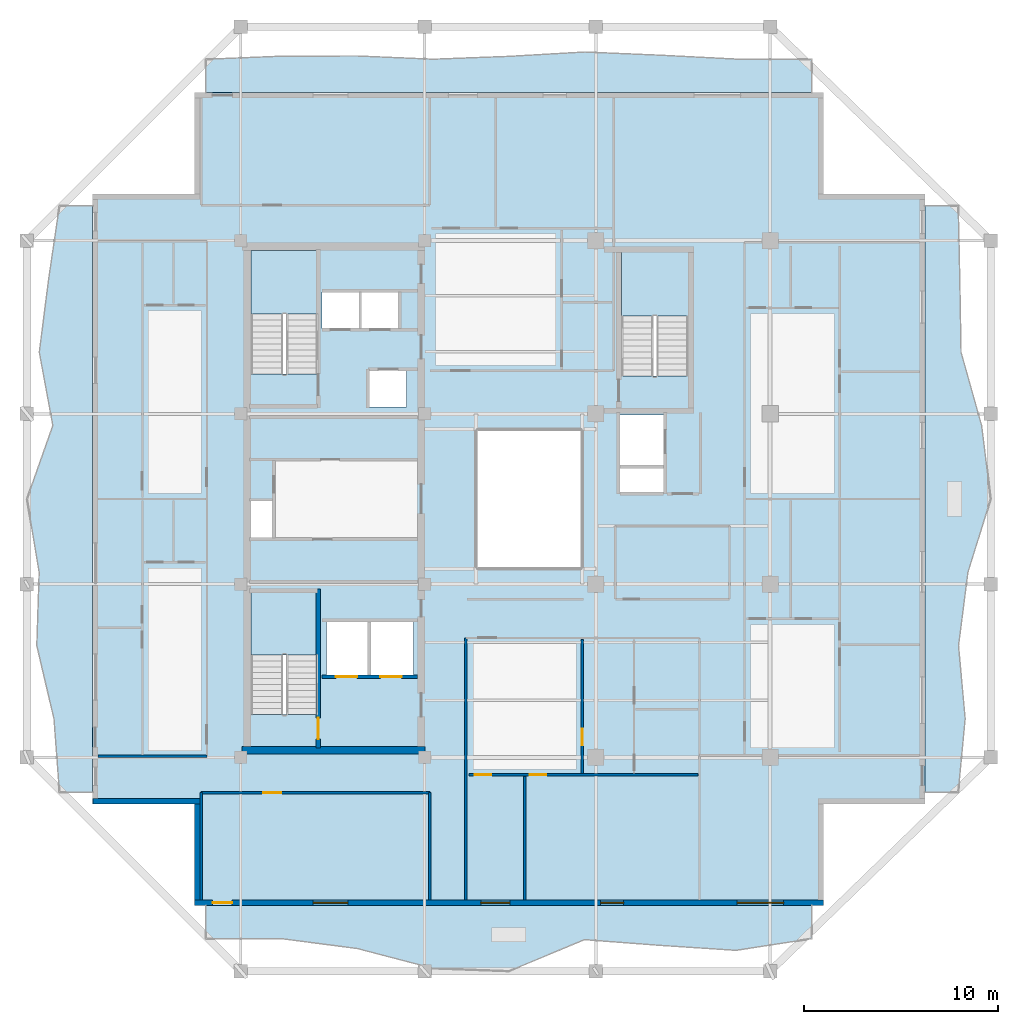
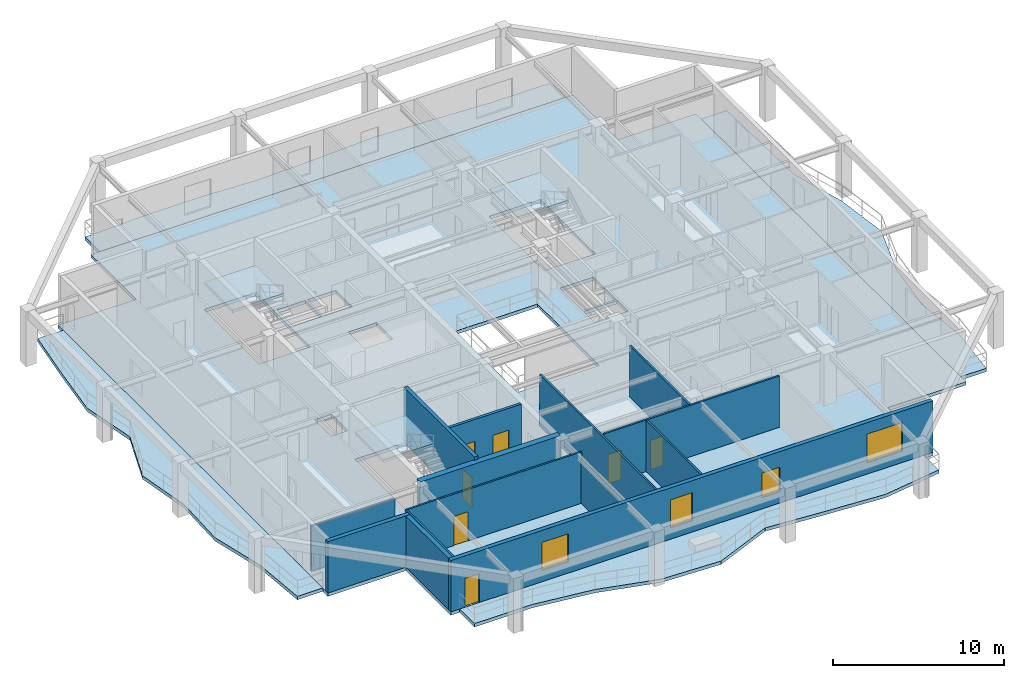
# One storey, part 2 of 11: 14 walls, 8 doors, 8 slabs, 4 windows, 12 openings, 3 elements without a shape of their own.
"""IFC4 building model written with IfcOpenShell, lengths in metres."""

from ifc_helpers import new_model, si_unit, direction, frame, frame_2d, origin, place, context, subcontext, project, spatial, polyline, rectangle, outline, extrude, material, layer, layer_set, type_object, element, fill, aggregate, save


model = new_model("IFC4")

# Units and contexts
model_context = context("Model", 3, precision=1e-05, world=origin(), true_north=direction((0.0, 1.0)))
body_context = subcontext(model_context, "Body", "Model", "MODEL_VIEW")
ifc_project = project(units=[si_unit("LENGTHUNIT", "METRE"), si_unit("AREAUNIT", "SQUARE_METRE"), si_unit("VOLUMEUNIT", "CUBIC_METRE"), si_unit("PLANEANGLEUNIT", "RADIAN"), si_unit("MASSUNIT", "GRAM", prefix="KILO")], contexts=[model_context])

# Site, building, storey
site_placement = place(None, origin())
site = spatial("IfcSite", under=ifc_project, at=site_placement, CompositionType="ELEMENT")
building_placement = place(site_placement, origin())
building = spatial("IfcBuilding", under=site, at=building_placement, Name="Kundavana Baori Tower", CompositionType="ELEMENT")
storey_placement = place(building_placement, frame((0.0, 0.0, 221.89990234375)))
storey = spatial("IfcBuildingStorey", under=building, at=storey_placement, Name="L54", CompositionType="ELEMENT", Elevation=221.89990234375)

# Slab
ifc_material_1 = material(Name="Concrete C40/50", Category="concrete")
ifc_layer_1 = layer(ifc_material_1, 0.239990234375, Name="SLB-FLR-240")
ifc_layer_set_1 = layer_set([ifc_layer_1], Name="Concrete C40/50")
slab_type_1 = type_object("IfcSlabType", Name="SLB-FLR-240", PredefinedType="FLOOR", material=ifc_layer_set_1)
slab_1_placement = place(storey_placement, frame((0.0, 0.0, -0.239990234375)))
element("IfcSlab", 1, at=slab_1_placement, inside=storey, type_object=slab_type_1, Name="L54 Structural Floor Slab", PredefinedType="FLOOR", context=body_context, shape_type="SweptSolid", body=[
    extrude(outline(polyline([(13.050048828125, 7.60009765625), (45.550048828125, 7.60009765625), (45.550048828125, 12.85009765625), (50.800048828125, 12.85009765625), (50.800048828125, 44.35009765625), (45.550048828125, 44.35009765625), (45.550048828125, 49.60009765625), (13.050048828125, 49.60009765625), (13.050048828125, 44.35009765625), (7.800048828125, 44.35009765625), (7.800048828125, 12.85009765625), (13.050048828125, 12.85009765625), (13.050048828125, 7.60009765625)]), holes=[polyline([(19.43994140625, 17.4619140625), (19.43994140625, 23.85009765625), (15.97998046875, 23.85009765625), (15.97998046875, 17.4619140625), (19.43994140625, 17.4619140625)]), polyline([(19.43994140625, 35.06201171875), (19.43994140625, 41.449951171875), (15.97998046875, 41.449951171875), (15.97998046875, 35.06201171875), (19.43994140625, 35.06201171875)]), polyline([(38.580078125, 34.9619140625), (38.580078125, 41.35009765625), (35.1201171875, 41.35009765625), (35.1201171875, 34.9619140625), (38.580078125, 34.9619140625)]), polyline([(19.64990234375, 37.39990234375), (21.550048828125, 37.39990234375), (21.550048828125, 39.300048828125), (19.64990234375, 39.300048828125), (19.64990234375, 37.39990234375)]), polyline([(21.699951171875, 37.39990234375), (23.60009765625, 37.39990234375), (23.60009765625, 39.300048828125), (21.699951171875, 39.300048828125), (21.699951171875, 37.39990234375)]), polyline([(22.10009765625, 33.35009765625), (24.0, 33.35009765625), (24.0, 35.25), (22.10009765625, 35.25), (22.10009765625, 33.35009765625)]), polyline([(19.8798828125, 19.5), (22.02001953125, 19.5), (22.02001953125, 22.25), (19.8798828125, 22.25), (19.8798828125, 19.5)]), polyline([(22.179931640625, 19.5), (24.3798828125, 19.5), (24.3798828125, 22.25), (22.179931640625, 22.25), (22.179931640625, 19.5)]), polyline([(35.050048828125, 30.35009765625), (37.300048828125, 30.35009765625), (37.300048828125, 32.949951171875), (35.050048828125, 32.949951171875), (35.050048828125, 30.35009765625)]), polyline([(15.949951171875, 26.60009765625), (17.080078125, 26.60009765625), (17.080078125, 28.5), (15.949951171875, 28.5), (15.949951171875, 26.60009765625)]), polyline([(35.050048828125, 28.949951171875), (37.300048828125, 28.949951171875), (37.300048828125, 30.199951171875), (35.050048828125, 30.199951171875), (35.050048828125, 28.949951171875)]), polyline([(27.60009765625, 25.0), (33.10009765625, 25.0), (33.10009765625, 32.199951171875), (27.60009765625, 32.199951171875), (27.60009765625, 25.0)])]), origin(), (0.0, 0.0, 1.0), 0.239990234375),
])

# Stair, slab
ifc_material_2 = material(Name="Concrete C40/50", Category="concrete")
stair_type = type_object("IfcStairType", Name="STR-DOG-1650", PredefinedType="HALF_TURN_STAIR", material=ifc_material_2)
stair_1_placement = place(storey_placement, origin())
stair_1 = element("IfcStair", 2, at=stair_1_placement, inside=storey, type_object=stair_type, Name="L54 Protected Exit Stair ST1", PredefinedType="HALF_TURN_STAIR")
ifc_material_3 = material(Name="Concrete C40/50", Category="concrete")
ifc_layer_2 = layer(ifc_material_3, 0.199951171875, Name="SLB-LND-200")
ifc_layer_set_2 = layer_set([ifc_layer_2], Name="Concrete C40/50")
slab_type_2 = type_object("IfcSlabType", Name="SLB-LND-200", PredefinedType="LANDING", material=ifc_layer_set_2)
slab_2_placement = place(storey_placement, frame((0.0, 0.0, 1.75)))
slab_2 = element("IfcSlab", 3, at=slab_2_placement, type_object=slab_type_2, Name="ST1 landing 1", PredefinedType="LANDING", context=body_context, shape_type="SweptSolid", body=[
    extrude(outline(polyline([(19.43994140625, 20.550048828125), (19.43994140625, 23.85009765625), (15.97998046875, 23.85009765625), (15.97998046875, 20.550048828125), (19.43994140625, 20.550048828125)])), origin(), (0.0, 0.0, 1.0), 0.2001953125),
])
aggregate(stair_1, [slab_2])

stair_2_placement = place(storey_placement, origin())
stair_2 = element("IfcStair", 4, at=stair_2_placement, inside=storey, type_object=stair_type, Name="L54 Protected Exit Stair ST2", PredefinedType="HALF_TURN_STAIR")
slab_3_placement = place(storey_placement, frame((0.0, 0.0, 1.75)))
slab_3 = element("IfcSlab", 5, at=slab_3_placement, type_object=slab_type_2, Name="ST2 landing 1", PredefinedType="LANDING", context=body_context, shape_type="SweptSolid", body=[
    extrude(outline(polyline([(19.43994140625, 38.14990234375), (19.43994140625, 41.449951171875), (15.97998046875, 41.449951171875), (15.97998046875, 38.14990234375), (19.43994140625, 38.14990234375)])), origin(), (0.0, 0.0, 1.0), 0.2001953125),
])
aggregate(stair_2, [slab_3])

stair_3_placement = place(storey_placement, origin())
stair_3 = element("IfcStair", 6, at=stair_3_placement, inside=storey, type_object=stair_type, Name="L54 Protected Exit Stair ST3", PredefinedType="HALF_TURN_STAIR")
slab_4_placement = place(storey_placement, frame((0.0, 0.0, 1.75)))
slab_4 = element("IfcSlab", 7, at=slab_4_placement, type_object=slab_type_2, Name="ST3 landing 1", PredefinedType="LANDING", context=body_context, shape_type="SweptSolid", body=[
    extrude(outline(polyline([(38.580078125, 38.050048828125), (38.580078125, 41.35009765625), (35.1201171875, 41.35009765625), (35.1201171875, 38.050048828125), (38.580078125, 38.050048828125)])), origin(), (0.0, 0.0, 1.0), 0.2001953125),
])
aggregate(stair_3, [slab_4])

# Slabs
ifc_material_4 = material(Name="Concrete C40/50", Category="concrete")
ifc_layer_3 = layer(ifc_material_4, 0.239990234375, Name="SLB-LOG-240")
ifc_layer_set_3 = layer_set([ifc_layer_3], Name="Concrete C40/50")
slab_type_3 = type_object("IfcSlabType", Name="SLB-LOG-240", PredefinedType="FLOOR", material=ifc_layer_set_3)
slab_5_placement = place(storey_placement, frame((0.0, 0.0, -0.239990234375)))
element("IfcSlab", 8, at=slab_5_placement, inside=storey, type_object=slab_type_3, Name="L54 Planted Loggia Balcony Slab S", PredefinedType="FLOOR", context=body_context, shape_type="SweptSolid", body=[
    extrude(outline(polyline([(13.64990234375, 7.60009765625), (44.949951171875, 7.60009765625), (44.949951171875, 5.8798828125), (41.0380859375, 5.277099609375), (37.125, 5.533935546875), (33.212890625, 5.830078125), (29.300048828125, 4.199951171875), (25.387939453125, 4.345947265625), (21.47509765625, 5.37109375), (17.56201171875, 5.87890625), (13.64990234375, 5.8798828125), (13.64990234375, 7.60009765625)])), origin(), (0.0, 0.0, 1.0), 0.239990234375),
])
slab_6_placement = place(storey_placement, frame((0.0, 0.0, -0.239990234375)))
element("IfcSlab", 9, at=slab_6_placement, inside=storey, type_object=slab_type_3, Name="L54 Planted Loggia Balcony Slab E", PredefinedType="FLOOR", context=body_context, shape_type="SweptSolid", body=[
    extrude(outline(polyline([(50.800048828125, 13.449951171875), (50.800048828125, 43.75), (52.52001953125, 43.75), (52.60205078125, 39.9619140625), (52.6669921875, 36.175048828125), (53.73291015625, 32.387939453125), (54.199951171875, 28.60009765625), (53.02294921875, 24.81201171875), (52.537109375, 21.02490234375), (52.8798828125, 17.238037109375), (52.52001953125, 13.449951171875), (50.800048828125, 13.449951171875)])), origin(), (0.0, 0.0, 1.0), 0.239990234375),
])
slab_7_placement = place(storey_placement, frame((0.0, 0.0, -0.239990234375)))
element("IfcSlab", 10, at=slab_7_placement, inside=storey, type_object=slab_type_3, Name="L54 Planted Loggia Balcony Slab N", PredefinedType="FLOOR", context=body_context, shape_type="SweptSolid", body=[
    extrude(outline(polyline([(44.949951171875, 49.60009765625), (13.64990234375, 49.60009765625), (13.64990234375, 51.320068359375), (17.56201171875, 51.48095703125), (21.47509765625, 51.489990234375), (25.387939453125, 51.323974609375), (29.300048828125, 51.469970703125), (33.212890625, 51.696044921875), (37.125, 51.531005859375), (41.0380859375, 51.330078125), (44.949951171875, 51.320068359375), (44.949951171875, 49.60009765625)])), origin(), (0.0, 0.0, 1.0), 0.239990234375),
])
slab_8_placement = place(storey_placement, frame((0.0, 0.0, -0.239990234375)))
element("IfcSlab", 11, at=slab_8_placement, inside=storey, type_object=slab_type_3, Name="L54 Planted Loggia Balcony Slab W", PredefinedType="FLOOR", context=body_context, shape_type="SweptSolid", body=[
    extrude(outline(polyline([(7.800048828125, 43.75), (7.800048828125, 13.449951171875), (6.080078125, 13.449951171875), (5.797119140625, 17.238037109375), (4.908935546875, 21.02490234375), (5.031005859375, 24.81201171875), (4.39990234375, 28.60009765625), (5.740966796875, 32.387939453125), (5.0390625, 36.175048828125), (5.52001953125, 39.9619140625), (6.080078125, 43.75), (7.800048828125, 43.75)])), origin(), (0.0, 0.0, 1.0), 0.239990234375),
])

# Wall
ifc_material_5 = material(Name="Concrete C50/60", Category="concrete")
ifc_layer_4 = layer(ifc_material_5, 0.39990234375, Name="WL-CORE-400")
ifc_layer_set_4 = layer_set([ifc_layer_4], Name="Concrete C50/60")
wall_type_1 = type_object("IfcWallType", Name="WL-CORE-400", PredefinedType="SHEAR", material=ifc_layer_set_4)
wall_1_placement = place(storey_placement, frame((15.5, 15.610107421875, 0.0), z_axis=(0.0, 0.0, 1.0), x_axis=(1.0, 0.0, 0.0)))
element("IfcWall", 12, at=wall_1_placement, inside=storey, type_object=wall_type_1, Name="L54 Offset Core South Shear Wall", PredefinedType="SHEAR", context=body_context, shape_type="SweptSolid", body=[
    extrude(rectangle(XDim=9.47998046875, YDim=0.39990234375, at=frame_2d((4.739990234375, 0.0))), origin(), (0.0, 0.0, 1.0), 3.66015625),
])

# Wall, opening, door
wall_2_placement = place(storey_placement, frame((19.4599609375, 15.739990234375, 0.0), z_axis=(0.0, 0.0, 1.0), x_axis=(0.0, 1.0, 0.0)))
wall_2 = element("IfcWall", 13, at=wall_2_placement, inside=storey, type_object=wall_type_1, Name="WL-L54-ST1-E", PredefinedType="SHEAR", context=body_context, shape_type="SweptSolid", body=[
    extrude(rectangle(XDim=8.199951171875, YDim=0.239990234375, at=frame_2d((4.10009765625, 0.0))), origin(), (0.0, 0.0, 1.0), 3.900146484375),
])
opening_1_placement = place(wall_2_placement, frame((0.449951171875, 0.0, 0.0)))
opening_1 = element("IfcOpeningElement", 14, at=opening_1_placement, cuts=wall_2, Name="Opening FD-110", PredefinedType="OPENING", context=body_context, shape_type="SweptSolid", body=[
    extrude(rectangle(XDim=1.10009765625, YDim=2.10009765625, at=frame_2d((0.550048828125, 1.050048828125))), frame((0.0, 0.1298828125, 0.0), z_axis=(0.0, -1.0, 0.0), x_axis=(1.0, 0.0, 0.0)), (0.0, 0.0, 1.0), 0.260009765625),
])
ifc_material_6 = material(Name="Galvanised Steel Fire-Rated Door Leaf", Category="steel")
door_type_1 = type_object("IfcDoorType", Name="DR-FD120-1100", OperationType="NOTDEFINED", PredefinedType="DOOR", material=ifc_material_6)
door_1_placement = place(opening_1_placement, origin())
door_1 = element("IfcDoor", 15, at=door_1_placement, inside=storey, type_object=door_type_1, Name="DR-L54-ST1", OperationType="SINGLE_SWING_LEFT", OverallHeight=2.10009765625, OverallWidth=1.10009765625, PredefinedType="DOOR", context=body_context, shape_type="SweptSolid", body=[
    extrude(rectangle(XDim=1.10009765625, YDim=2.10009765625, at=frame_2d((0.550048828125, 1.050048828125))), frame((0.0, 0.02490234375, 0.0), z_axis=(0.0, -1.0, 0.0), x_axis=(1.0, 0.0, 0.0)), (0.0, 0.0, 1.0), 0.050048828125),
])
fill(opening_1, door_1)

# Wall, openings, door, windows
ifc_material_7 = material(Name="Red-Buff Dholpur Sandstone Cladding on Concrete C40/50", Category="masonry")
ifc_layer_5 = layer(ifc_material_7, 0.280029296875, Name="WL-EXT-SAND-280")
ifc_layer_set_5 = layer_set([ifc_layer_5], Name="Red-Buff Dholpur Sandstone Cladding on Concrete C40/50")
wall_type_2 = type_object("IfcWallType", Name="WL-EXT-SAND-280", PredefinedType="STANDARD", material=ifc_layer_set_5)
wall_3_placement = place(storey_placement, frame((13.050048828125, 7.739990234375, 0.0), z_axis=(0.0, 0.0, 1.0), x_axis=(1.0, 0.0, 0.0)))
wall_3 = element("IfcWall", 16, at=wall_3_placement, inside=storey, type_object=wall_type_2, Name="L54 Exterior Insulated Facade Wall 01", PredefinedType="STANDARD", context=body_context, shape_type="SweptSolid", body=[
    extrude(rectangle(XDim=32.5, YDim=0.280029296875, at=frame_2d((16.25, 0.0))), origin(), (0.0, 0.0, 1.0), 3.66015625),
])
opening_2_placement = place(wall_3_placement, frame((0.949951171875, 0.0, 0.0)))
opening_2 = element("IfcOpeningElement", 17, at=opening_2_placement, cuts=wall_3, Name="Opening BD-1", PredefinedType="OPENING", context=body_context, shape_type="SweptSolid", body=[
    extrude(rectangle(XDim=1.0, YDim=2.050048828125, at=frame_2d((0.5, 1.02490234375))), frame((0.0, 0.14990234375, 0.0), z_axis=(0.0, -1.0, 0.0), x_axis=(1.0, 0.0, 0.0)), (0.0, 0.0, 1.0), 0.300048828125),
])
opening_3_placement = place(wall_3_placement, frame((6.135009765625, 0.0, 0.800048828125)))
opening_3 = element("IfcOpeningElement", 18, at=opening_3_placement, cuts=wall_3, Name="Opening W-01", PredefinedType="OPENING", context=body_context, shape_type="SweptSolid", body=[
    extrude(rectangle(XDim=1.800048828125, YDim=2.0, at=frame_2d((0.89990234375, 1.0))), frame((0.0, 0.14990234375, 0.0), z_axis=(0.0, -1.0, 0.0), x_axis=(1.0, 0.0, 0.0)), (0.0, 0.0, 1.0), 0.300048828125),
])
opening_4_placement = place(wall_3_placement, frame((14.802001953125, 0.0, 0.800048828125)))
opening_4 = element("IfcOpeningElement", 19, at=opening_4_placement, cuts=wall_3, Name="Opening W-02", PredefinedType="OPENING", context=body_context, shape_type="SweptSolid", body=[
    extrude(rectangle(XDim=1.5, YDim=2.0, at=frame_2d((0.75, 1.0))), frame((0.0, 0.14990234375, 0.0), z_axis=(0.0, -1.0, 0.0), x_axis=(1.0, 0.0, 0.0)), (0.0, 0.0, 1.0), 0.300048828125),
])
opening_5_placement = place(wall_3_placement, frame((20.988037109375, 0.0, 0.800048828125)))
opening_5 = element("IfcOpeningElement", 20, at=opening_5_placement, cuts=wall_3, Name="Opening W-03", PredefinedType="OPENING", context=body_context, shape_type="SweptSolid", body=[
    extrude(rectangle(XDim=1.199951171875, YDim=1.75, at=frame_2d((0.60009765625, 0.875))), frame((0.0, 0.14990234375, 0.0), z_axis=(0.0, -1.0, 0.0), x_axis=(1.0, 0.0, 0.0)), (0.0, 0.0, 1.0), 0.300048828125),
])
opening_6_placement = place(wall_3_placement, frame((28.044921875, 0.0, 0.800048828125)))
opening_6 = element("IfcOpeningElement", 21, at=opening_6_placement, cuts=wall_3, Name="Opening W-04", PredefinedType="OPENING", context=body_context, shape_type="SweptSolid", body=[
    extrude(rectangle(XDim=2.39990234375, YDim=2.050048828125, at=frame_2d((1.199951171875, 1.02490234375))), frame((0.0, 0.14990234375, 0.0), z_axis=(0.0, -1.0, 0.0), x_axis=(1.0, 0.0, 0.0)), (0.0, 0.0, 1.0), 0.300048828125),
])
ifc_material_8 = material(Name="Architectural Patinated Bronze Metalwork")
door_type_2 = type_object("IfcDoorType", Name="DR-EXT-LOG-1000", OperationType="NOTDEFINED", PredefinedType="DOOR", material=ifc_material_8)
door_2_placement = place(opening_2_placement, frame((1.0, 0.0, 0.0), z_axis=(0.0, 0.0, 1.0), x_axis=(-1.0, 0.0, 0.0)))
door_2 = element("IfcDoor", 22, at=door_2_placement, inside=storey, type_object=door_type_2, Name="L54 Loggia Balcony Access Door S", OperationType="SINGLE_SWING_LEFT", OverallHeight=2.050048828125, OverallWidth=1.0, PredefinedType="DOOR", context=body_context, shape_type="SweptSolid", body=[
    extrude(rectangle(XDim=1.0, YDim=2.050048828125, at=frame_2d((0.5, 1.02490234375))), frame((0.0, 0.02490234375, 0.0), z_axis=(0.0, -1.0, 0.0), x_axis=(1.0, 0.0, 0.0)), (0.0, 0.0, 1.0), 0.050048828125),
])
fill(opening_2, door_2)
ifc_material_9 = material(Name="Double-Glazed Solar-Control Low-E Insulated Glass", Category="glass")
window_type_1 = type_object("IfcWindowType", Name="WIN-LOG-1200x1750", PartitioningType="SINGLE_PANEL", PredefinedType="WINDOW", material=ifc_material_9)
window_1_placement = place(opening_5_placement, origin())
window_1 = element("IfcWindow", 23, at=window_1_placement, inside=storey, type_object=window_type_1, Name="L54 Recessed Loggia Window S-3", OverallHeight=1.75, OverallWidth=1.199951171875, PartitioningType="SINGLE_PANEL", PredefinedType="WINDOW", context=body_context, shape_type="SweptSolid", body=[
    extrude(rectangle(XDim=1.199951171875, YDim=1.75, at=frame_2d((0.60009765625, 0.875))), frame((0.0, 0.030029296875, 0.0), z_axis=(0.0, -1.0, 0.0), x_axis=(1.0, 0.0, 0.0)), (0.0, 0.0, 1.0), 0.06005859375),
])
fill(opening_5, window_1)
ifc_material_10 = material(Name="Double-Glazed Solar-Control Low-E Insulated Glass", Category="glass")
window_type_2 = type_object("IfcWindowType", Name="WIN-LOG-1500x2000", PartitioningType="SINGLE_PANEL", PredefinedType="WINDOW", material=ifc_material_10)
window_2_placement = place(opening_4_placement, origin())
window_2 = element("IfcWindow", 24, at=window_2_placement, inside=storey, type_object=window_type_2, Name="L54 Recessed Loggia Window S-2", OverallHeight=2.0, OverallWidth=1.5, PartitioningType="SINGLE_PANEL", PredefinedType="WINDOW", context=body_context, shape_type="SweptSolid", body=[
    extrude(rectangle(XDim=1.5, YDim=2.0, at=frame_2d((0.75, 1.0))), frame((0.0, 0.030029296875, 0.0), z_axis=(0.0, -1.0, 0.0), x_axis=(1.0, 0.0, 0.0)), (0.0, 0.0, 1.0), 0.06005859375),
])
fill(opening_4, window_2)
ifc_material_11 = material(Name="Double-Glazed Solar-Control Low-E Insulated Glass", Category="glass")
window_type_3 = type_object("IfcWindowType", Name="WIN-LOG-1800x2000", PartitioningType="SINGLE_PANEL", PredefinedType="WINDOW", material=ifc_material_11)
window_3_placement = place(opening_3_placement, origin())
window_3 = element("IfcWindow", 25, at=window_3_placement, inside=storey, type_object=window_type_3, Name="L54 Recessed Loggia Window S-1", OverallHeight=2.0, OverallWidth=1.800048828125, PartitioningType="SINGLE_PANEL", PredefinedType="WINDOW", context=body_context, shape_type="SweptSolid", body=[
    extrude(rectangle(XDim=1.800048828125, YDim=2.0, at=frame_2d((0.89990234375, 1.0))), frame((0.0, 0.030029296875, 0.0), z_axis=(0.0, -1.0, 0.0), x_axis=(1.0, 0.0, 0.0)), (0.0, 0.0, 1.0), 0.06005859375),
])
fill(opening_3, window_3)
ifc_material_12 = material(Name="Double-Glazed Solar-Control Low-E Insulated Glass", Category="glass")
window_type_4 = type_object("IfcWindowType", Name="WIN-LOG-2400x2050", PartitioningType="SINGLE_PANEL", PredefinedType="WINDOW", material=ifc_material_12)
window_4_placement = place(opening_6_placement, origin())
window_4 = element("IfcWindow", 26, at=window_4_placement, inside=storey, type_object=window_type_4, Name="L54 Recessed Loggia Window S-4", OverallHeight=2.050048828125, OverallWidth=2.39990234375, PartitioningType="SINGLE_PANEL", PredefinedType="WINDOW", context=body_context, shape_type="SweptSolid", body=[
    extrude(rectangle(XDim=2.39990234375, YDim=2.050048828125, at=frame_2d((1.199951171875, 1.02490234375))), frame((0.0, 0.030029296875, 0.0), z_axis=(0.0, -1.0, 0.0), x_axis=(1.0, 0.0, 0.0)), (0.0, 0.0, 1.0), 0.06005859375),
])
fill(opening_6, window_4)

# Walls
wall_4_placement = place(storey_placement, frame((7.800048828125, 12.989990234375, 0.0), z_axis=(0.0, 0.0, 1.0), x_axis=(1.0, 0.0, 0.0)))
element("IfcWall", 27, at=wall_4_placement, inside=storey, type_object=wall_type_2, Name="L54 Exterior Insulated Facade Wall 11", PredefinedType="STANDARD", context=body_context, shape_type="SweptSolid", body=[
    extrude(rectangle(XDim=5.530029296875, YDim=0.280029296875, at=frame_2d((2.76513671875, 0.0))), origin(), (0.0, 0.0, 1.0), 3.66015625),
])
wall_5_placement = place(storey_placement, frame((13.18994140625, 12.85009765625, 0.0), z_axis=(0.0, 0.0, 1.0), x_axis=(0.0, -1.0, 0.0)))
element("IfcWall", 28, at=wall_5_placement, inside=storey, type_object=wall_type_2, Name="L54 Exterior Insulated Facade Wall 12", PredefinedType="STANDARD", context=body_context, shape_type="SweptSolid", body=[
    extrude(rectangle(XDim=4.97021484375, YDim=0.280029296875, at=frame_2d((2.485107421875, 0.0))), origin(), (0.0, 0.0, 1.0), 3.66015625),
])
ifc_material_13 = material(Name="Acoustic Gypsum Plasterboard on Galvanised Steel Studs", Category="steel")
ifc_layer_6 = layer(ifc_material_13, 0.1201171875, Name="WL-PART-120")
ifc_layer_set_6 = layer_set([ifc_layer_6], Name="Acoustic Gypsum Plasterboard on Galvanised Steel Studs")
wall_type_3 = type_object("IfcWallType", Name="WL-PART-120", PredefinedType="PARTITIONING", material=ifc_layer_set_6)
wall_6_placement = place(storey_placement, frame((27.080078125, 7.8798828125, 0.0), z_axis=(0.0, 0.0, 1.0), x_axis=(0.0, 1.0, 0.0)))
element("IfcWall", 29, at=wall_6_placement, inside=storey, type_object=wall_type_3, Name="WL-L54-RSW", PredefinedType="PARTITIONING", context=body_context, shape_type="SweptSolid", body=[
    extrude(rectangle(XDim=13.5400390625, YDim=0.1201171875, at=frame_2d((6.77001953125, 0.0))), origin(), (0.0, 0.0, 1.0), 3.66015625),
])

# Wall, opening, door
wall_7_placement = place(storey_placement, frame((13.39990234375, 13.419921875, 0.0), z_axis=(0.0, 0.0, 1.0), x_axis=(1.0, 0.0, 0.0)))
wall_7 = element("IfcWall", 30, at=wall_7_placement, inside=storey, type_object=wall_type_3, Name="WL-L54-RSC", PredefinedType="PARTITIONING", context=body_context, shape_type="SweptSolid", body=[
    extrude(rectangle(XDim=11.820068359375, YDim=0.1201171875, at=frame_2d((5.91015625, 0.0))), origin(), (0.0, 0.0, 1.0), 3.66015625),
])
opening_7_placement = place(wall_7_placement, frame((3.199951171875, 0.0, 0.0)))
opening_7 = element("IfcOpeningElement", 31, at=opening_7_placement, cuts=wall_7, Name="Opening ID-095", PredefinedType="OPENING", context=body_context, shape_type="SweptSolid", body=[
    extrude(rectangle(XDim=0.949951171875, YDim=2.080078125, at=frame_2d((0.47509765625, 1.0400390625))), frame((0.0, 0.070068359375, 0.0), z_axis=(0.0, -1.0, 0.0), x_axis=(1.0, 0.0, 0.0)), (0.0, 0.0, 1.0), 0.14013671875),
])
ifc_material_14 = material(Name="Engineered Teak Solid-Core Timber Veneer", Category="wood")
door_type_3 = type_object("IfcDoorType", Name="DR-INT-950", OperationType="NOTDEFINED", PredefinedType="DOOR", material=ifc_material_14)
door_3_placement = place(opening_7_placement, frame((0.949951171875, 0.0, 0.0), z_axis=(0.0, 0.0, 1.0), x_axis=(-1.0, 0.0, 0.0)))
door_3 = element("IfcDoor", 32, at=door_3_placement, inside=storey, type_object=door_type_3, Name="DR-L54-RMSW", OperationType="SINGLE_SWING_LEFT", OverallHeight=2.080078125, OverallWidth=0.949951171875, PredefinedType="DOOR", context=body_context, shape_type="SweptSolid", body=[
    extrude(rectangle(XDim=0.949951171875, YDim=2.080078125, at=frame_2d((0.47509765625, 1.0400390625))), frame((0.0, 0.02490234375, 0.0), z_axis=(0.0, -1.0, 0.0), x_axis=(1.0, 0.0, 0.0)), (0.0, 0.0, 1.0), 0.050048828125),
])
fill(opening_7, door_3)

# Walls
wall_8_placement = place(storey_placement, frame((13.39990234375, 7.8798828125, 0.0), z_axis=(0.0, 0.0, 1.0), x_axis=(0.0, 1.0, 0.0)))
element("IfcWall", 33, at=wall_8_placement, inside=storey, type_object=wall_type_3, Name="WL-L54-RSCW", PredefinedType="PARTITIONING", context=body_context, shape_type="SweptSolid", body=[
    extrude(rectangle(XDim=5.5400390625, YDim=0.1201171875, at=frame_2d((2.77001953125, 0.0))), origin(), (0.0, 0.0, 1.0), 3.66015625),
])
wall_9_placement = place(storey_placement, frame((25.219970703125, 7.8798828125, 0.0), z_axis=(0.0, 0.0, 1.0), x_axis=(0.0, 1.0, 0.0)))
element("IfcWall", 34, at=wall_9_placement, inside=storey, type_object=wall_type_3, Name="WL-L54-RSCE", PredefinedType="PARTITIONING", context=body_context, shape_type="SweptSolid", body=[
    extrude(rectangle(XDim=5.5400390625, YDim=0.1201171875, at=frame_2d((2.77001953125, 0.0))), origin(), (0.0, 0.0, 1.0), 3.210205078125),
])
wall_10_placement = place(storey_placement, frame((8.080078125, 15.300048828125, 0.0), z_axis=(0.0, 0.0, 1.0), x_axis=(1.0, 0.0, 0.0)))
element("IfcWall", 35, at=wall_10_placement, inside=storey, type_object=wall_type_3, Name="WL-L54-RWS", PredefinedType="PARTITIONING", context=body_context, shape_type="SweptSolid", body=[
    extrude(rectangle(XDim=5.619873046875, YDim=0.1201171875, at=frame_2d((2.81005859375, 0.0))), origin(), (0.0, 0.0, 1.0), 3.210205078125),
])

# Wall, openings, doors
wall_11_placement = place(storey_placement, frame((27.239990234375, 14.341064453125, 0.0), z_axis=(0.0, 0.0, 1.0), x_axis=(1.0, 0.0, 0.0)))
wall_11 = element("IfcWall", 36, at=wall_11_placement, inside=storey, type_object=wall_type_3, Name="WL-L54-S1-HZ", PredefinedType="PARTITIONING", context=body_context, shape_type="SweptSolid", body=[
    extrude(rectangle(XDim=11.830078125, YDim=0.1201171875, at=frame_2d((5.9150390625, 0.0))), origin(), (0.0, 0.0, 1.0), 3.66015625),
])
opening_8_placement = place(wall_11_placement, frame((0.300048828125, 0.0, 0.0)))
opening_8 = element("IfcOpeningElement", 37, at=opening_8_placement, cuts=wall_11, Name="Opening ID-085", PredefinedType="OPENING", context=body_context, shape_type="SweptSolid", body=[
    extrude(rectangle(XDim=0.85009765625, YDim=2.080078125, at=frame_2d((0.425048828125, 1.0400390625))), frame((0.0, 0.070068359375, 0.0), z_axis=(0.0, -1.0, 0.0), x_axis=(1.0, 0.0, 0.0)), (0.0, 0.0, 1.0), 0.14013671875),
])
opening_9_placement = place(wall_11_placement, frame((3.135009765625, 0.0, 0.0)))
opening_9 = element("IfcOpeningElement", 38, at=opening_9_placement, cuts=wall_11, Name="Opening ID-085", PredefinedType="OPENING", context=body_context, shape_type="SweptSolid", body=[
    extrude(rectangle(XDim=0.85009765625, YDim=2.080078125, at=frame_2d((0.425048828125, 1.0400390625))), frame((0.0, 0.070068359375, 0.0), z_axis=(0.0, -1.0, 0.0), x_axis=(1.0, 0.0, 0.0)), (0.0, 0.0, 1.0), 0.14013671875),
])
ifc_material_15 = material(Name="Engineered Teak Solid-Core Timber Veneer", Category="wood")
door_type_4 = type_object("IfcDoorType", Name="DR-INT-850", OperationType="NOTDEFINED", PredefinedType="DOOR", material=ifc_material_15)
door_4_placement = place(opening_8_placement, frame((0.85009765625, 0.0, 0.0), z_axis=(0.0, 0.0, 1.0), x_axis=(-1.0, 0.0, 0.0)))
door_4 = element("IfcDoor", 39, at=door_4_placement, inside=storey, type_object=door_type_4, Name="DR-L54-S1-B1", OperationType="SINGLE_SWING_LEFT", OverallHeight=2.080078125, OverallWidth=0.85009765625, PredefinedType="DOOR", context=body_context, shape_type="SweptSolid", body=[
    extrude(rectangle(XDim=0.85009765625, YDim=2.080078125, at=frame_2d((0.425048828125, 1.0400390625))), frame((0.0, 0.02490234375, 0.0), z_axis=(0.0, -1.0, 0.0), x_axis=(1.0, 0.0, 0.0)), (0.0, 0.0, 1.0), 0.050048828125),
])
fill(opening_8, door_4)
door_5_placement = place(opening_9_placement, frame((0.85009765625, 0.0, 0.0), z_axis=(0.0, 0.0, 1.0), x_axis=(-1.0, 0.0, 0.0)))
door_5 = element("IfcDoor", 40, at=door_5_placement, inside=storey, type_object=door_type_4, Name="DR-L54-S1-B2", OperationType="SINGLE_SWING_RIGHT", OverallHeight=2.080078125, OverallWidth=0.85009765625, PredefinedType="DOOR", context=body_context, shape_type="SweptSolid", body=[
    extrude(rectangle(XDim=0.85009765625, YDim=2.080078125, at=frame_2d((0.425048828125, 1.0400390625))), frame((0.0, 0.02490234375, 0.0), z_axis=(0.0, -1.0, 0.0), x_axis=(1.0, 0.0, 0.0)), (0.0, 0.0, 1.0), 0.050048828125),
])
fill(opening_9, door_5)

# Wall, opening, door
wall_12_placement = place(storey_placement, frame((33.090087890625, 14.4208984375, 0.0), z_axis=(0.0, 0.0, 1.0), x_axis=(0.0, 1.0, 0.0)))
wall_12 = element("IfcWall", 41, at=wall_12_placement, inside=storey, type_object=wall_type_3, Name="WL-L54-S1-STU", PredefinedType="PARTITIONING", context=body_context, shape_type="SweptSolid", body=[
    extrude(rectangle(XDim=6.919189453125, YDim=0.1201171875, at=frame_2d((3.45947265625, 0.0))), origin(), (0.0, 0.0, 1.0), 3.66015625),
])
opening_10_placement = place(wall_12_placement, frame((1.449951171875, 0.0, 0.0)))
opening_10 = element("IfcOpeningElement", 42, at=opening_10_placement, cuts=wall_12, Name="Opening ID-085", PredefinedType="OPENING", context=body_context, shape_type="SweptSolid", body=[
    extrude(rectangle(XDim=0.85009765625, YDim=2.080078125, at=frame_2d((0.425048828125, 1.0400390625))), frame((0.0, 0.070068359375, 0.0), z_axis=(0.0, -1.0, 0.0), x_axis=(1.0, 0.0, 0.0)), (0.0, 0.0, 1.0), 0.14013671875),
])
door_6_placement = place(opening_10_placement, origin())
door_6 = element("IfcDoor", 43, at=door_6_placement, inside=storey, type_object=door_type_4, Name="DR-L54-S1-STD", OperationType="SINGLE_SWING_LEFT", OverallHeight=2.080078125, OverallWidth=0.85009765625, PredefinedType="DOOR", context=body_context, shape_type="SweptSolid", body=[
    extrude(rectangle(XDim=0.85009765625, YDim=2.080078125, at=frame_2d((0.425048828125, 1.0400390625))), frame((0.0, 0.02490234375, 0.0), z_axis=(0.0, -1.0, 0.0), x_axis=(1.0, 0.0, 0.0)), (0.0, 0.0, 1.0), 0.050048828125),
])
fill(opening_10, door_6)

# Wall
wall_13_placement = place(storey_placement, frame((30.125, 7.8798828125, 0.0), z_axis=(0.0, 0.0, 1.0), x_axis=(0.0, 1.0, 0.0)))
element("IfcWall", 44, at=wall_13_placement, inside=storey, type_object=wall_type_3, Name="WL-L54-S1-BDV", PredefinedType="PARTITIONING", context=body_context, shape_type="SweptSolid", body=[
    extrude(rectangle(XDim=6.381103515625, YDim=0.1201171875, at=frame_2d((3.1904296875, 0.0))), origin(), (0.0, 0.0, 1.0), 3.66015625),
])

# Wall, openings, doors
ifc_material_16 = material(Name="Autoclaved Aerated Concrete Blockwork Masonry", Category="masonry")
ifc_layer_7 = layer(ifc_material_16, 0.179931640625, Name="WL-SHAFT-180")
ifc_layer_set_7 = layer_set([ifc_layer_7], Name="Autoclaved Aerated Concrete Blockwork Masonry")
wall_type_4 = type_object("IfcWallType", Name="WL-SHAFT-180", PredefinedType="SOLIDWALL", material=ifc_layer_set_7)
wall_14_placement = place(storey_placement, frame((19.639892578125, 19.419921875, 0.0), z_axis=(0.0, 0.0, 1.0), x_axis=(1.0, 0.0, 0.0)))
wall_14 = element("IfcWall", 45, at=wall_14_placement, inside=storey, type_object=wall_type_4, Name="WL-L54-FFL-S", PredefinedType="SOLIDWALL", context=body_context, shape_type="SweptSolid", body=[
    extrude(rectangle(XDim=4.940185546875, YDim=0.179931640625, at=frame_2d((2.47021484375, 0.0))), origin(), (0.0, 0.0, 1.0), 3.66015625),
])
opening_11_placement = place(wall_14_placement, frame((0.719970703125, 0.0, 0.0)))
opening_11 = element("IfcOpeningElement", 46, at=opening_11_placement, cuts=wall_14, Name="Opening LD-110", PredefinedType="OPENING", context=body_context, shape_type="SweptSolid", body=[
    extrude(rectangle(XDim=1.10009765625, YDim=2.10009765625, at=frame_2d((0.550048828125, 1.050048828125))), frame((0.0, 0.10009765625, 0.0), z_axis=(0.0, -1.0, 0.0), x_axis=(1.0, 0.0, 0.0)), (0.0, 0.0, 1.0), 0.199951171875),
])
opening_12_placement = place(wall_14_placement, frame((3.02001953125, 0.0, 0.0)))
opening_12 = element("IfcOpeningElement", 47, at=opening_12_placement, cuts=wall_14, Name="Opening LD-110", PredefinedType="OPENING", context=body_context, shape_type="SweptSolid", body=[
    extrude(rectangle(XDim=1.10009765625, YDim=2.10009765625, at=frame_2d((0.550048828125, 1.050048828125))), frame((0.0, 0.10009765625, 0.0), z_axis=(0.0, -1.0, 0.0), x_axis=(1.0, 0.0, 0.0)), (0.0, 0.0, 1.0), 0.199951171875),
])
ifc_material_17 = material(Name="Galvanised Steel Fire-Rated Door Leaf", Category="steel")
door_type_5 = type_object("IfcDoorType", Name="DR-SLIDE-LD1100", OperationType="NOTDEFINED", PredefinedType="DOOR", material=ifc_material_17)
door_7_placement = place(opening_11_placement, origin())
door_7 = element("IfcDoor", 48, at=door_7_placement, inside=storey, type_object=door_type_5, Name="DR-L54-LD-FFL-1", OperationType="DOUBLE_DOOR_SLIDING", OverallHeight=2.10009765625, OverallWidth=1.10009765625, PredefinedType="DOOR", context=body_context, shape_type="SweptSolid", body=[
    extrude(rectangle(XDim=1.10009765625, YDim=2.10009765625, at=frame_2d((0.550048828125, 1.050048828125))), frame((0.0, 0.02490234375, 0.0), z_axis=(0.0, -1.0, 0.0), x_axis=(1.0, 0.0, 0.0)), (0.0, 0.0, 1.0), 0.050048828125),
])
fill(opening_11, door_7)
door_8_placement = place(opening_12_placement, origin())
door_8 = element("IfcDoor", 49, at=door_8_placement, inside=storey, type_object=door_type_5, Name="DR-L54-LD-FFL-2", OperationType="DOUBLE_DOOR_SLIDING", OverallHeight=2.10009765625, OverallWidth=1.10009765625, PredefinedType="DOOR", context=body_context, shape_type="SweptSolid", body=[
    extrude(rectangle(XDim=1.10009765625, YDim=2.10009765625, at=frame_2d((0.550048828125, 1.050048828125))), frame((0.0, 0.02490234375, 0.0), z_axis=(0.0, -1.0, 0.0), x_axis=(1.0, 0.0, 0.0)), (0.0, 0.0, 1.0), 0.050048828125),
])
fill(opening_12, door_8)

save(model, "model.ifc")
